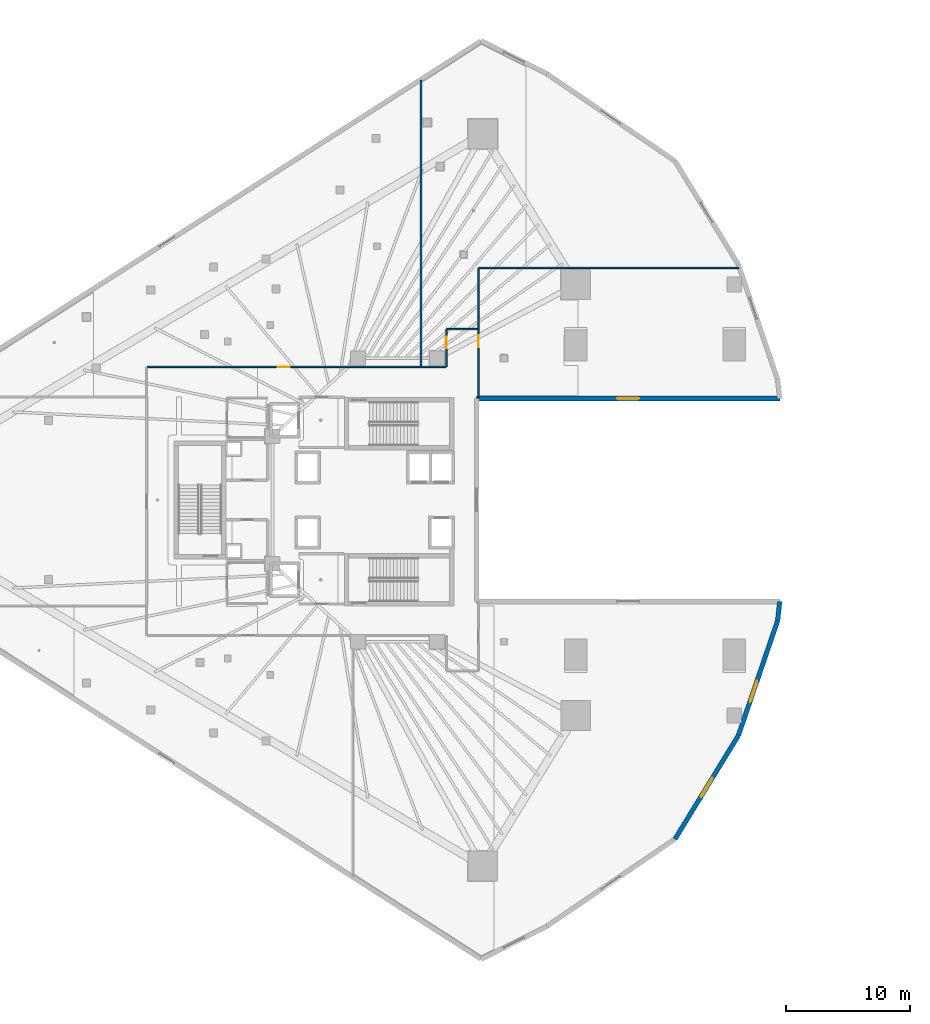
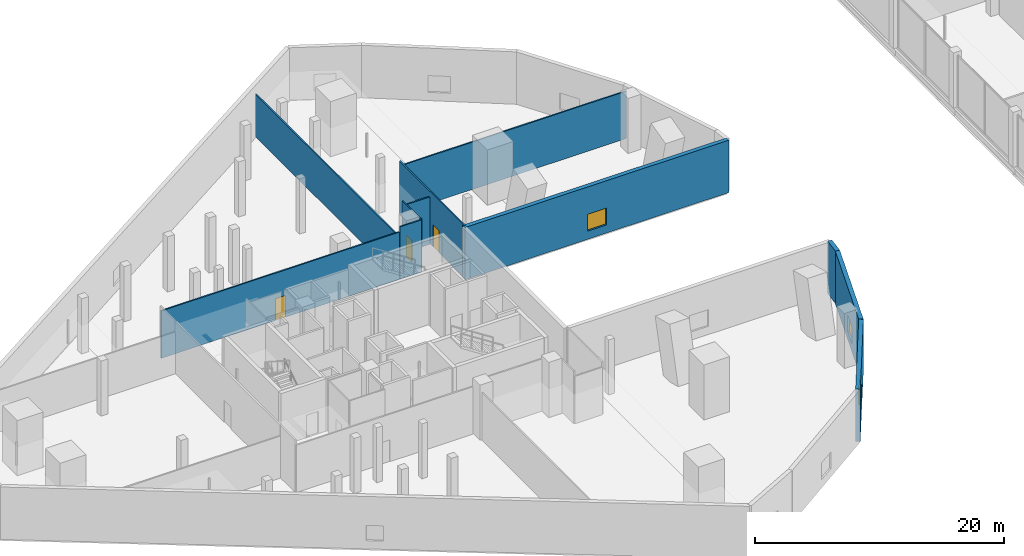
# One storey, part 29 of 47: 11 walls, 3 doors, 3 windows, 6 openings.
"""IFC4 building model written with IfcOpenShell, lengths in metres."""

from ifc_helpers import new_model, si_unit, direction, frame, frame_2d, origin, place, context, subcontext, project, spatial, rectangle, extrude, material, layer, layer_set, type_object, element, fill, save


model = new_model("IFC4")

# Units and contexts
model_context = context("Model", 3, precision=1e-05, world=origin(), true_north=direction((0.0, 1.0)))
body_context = subcontext(model_context, "Body", "Model", "MODEL_VIEW")
ifc_project = project(units=[si_unit("LENGTHUNIT", "METRE"), si_unit("AREAUNIT", "SQUARE_METRE"), si_unit("VOLUMEUNIT", "CUBIC_METRE"), si_unit("PLANEANGLEUNIT", "RADIAN"), si_unit("MASSUNIT", "GRAM", prefix="KILO")], contexts=[model_context])

# Site, building, storey
site_placement = place(None, origin())
site = spatial("IfcSite", under=ifc_project, at=site_placement, CompositionType="ELEMENT")
building_placement = place(site_placement, origin())
building = spatial("IfcBuilding", under=site, at=building_placement, Name="Qorvath Tower", CompositionType="ELEMENT")
storey_placement = place(building_placement, frame((0.0, 0.0, 6.60009765625)))
storey = spatial("IfcBuildingStorey", under=building, at=storey_placement, Name="L01", CompositionType="ELEMENT", Elevation=6.60009765625)

# Wall
ifc_material_1 = material(Name="Gypsum board on metal studs with mineral wool", Category="gypsum")
ifc_layer_1 = layer(ifc_material_1, 0.125)
ifc_layer_set_1 = layer_set([ifc_layer_1], Name="IW-PART-125")
wall_type_1 = type_object("IfcWallType", Name="IW-PART-125", PredefinedType="PARTITIONING", material=ifc_layer_set_1)
wall_1_placement = place(storey_placement, frame((7.15478515625, 18.75, 0.0), z_axis=(0.0, 0.0, 1.0), x_axis=(-1.0, 0.0, 0.0)))
element("IfcWall", 1, at=wall_1_placement, inside=storey, type_object=wall_type_1, Name="Interior Partition IW-T1-L01-019", PredefinedType="PARTITIONING", context=body_context, shape_type="SweptSolid", body=[
    extrude(rectangle(XDim=20.97998046875, YDim=0.125, at=frame_2d((10.489990234375, 0.0))), origin(), (0.0, 0.0, 1.0), 4.65283203125),
])

# Wall, opening, door
wall_2_placement = place(storey_placement, frame((-13.85009765625, 18.72509765625, 0.0), z_axis=(0.0, 0.0, 1.0), x_axis=(0.0, -1.0, 0.0)))
wall_2 = element("IfcWall", 2, at=wall_2_placement, inside=storey, type_object=wall_type_1, Name="Interior Partition IW-T1-L01-020", PredefinedType="PARTITIONING", context=body_context, shape_type="SweptSolid", body=[
    extrude(rectangle(XDim=10.445068359375, YDim=0.125, at=frame_2d((5.22265625, 0.0))), origin(), (0.0, 0.0, 1.0), 5.139892578125),
])
opening_1_placement = place(wall_2_placement, frame((5.42578125, 0.0, 0.0)))
opening_1 = element("IfcOpeningElement", 3, at=opening_1_placement, cuts=wall_2, Name="Opening D-T1-L01-05", PredefinedType="OPENING", context=body_context, shape_type="SweptSolid", body=[
    extrude(rectangle(XDim=0.949951171875, YDim=2.14990234375, at=frame_2d((0.47509765625, 1.074951171875))), frame((0.0, 0.072509765625, 0.0), z_axis=(0.0, -1.0, 0.0), x_axis=(1.0, 0.0, 0.0)), (0.0, 0.0, 1.0), 0.14501953125),
])
ifc_material_2 = material(Name="Solid-core American white oak veneer", Category="wood")
door_type = type_object("IfcDoorType", Name="D-01", OperationType="NOTDEFINED", PredefinedType="DOOR", material=ifc_material_2)
door_1_placement = place(opening_1_placement, origin())
door_1 = element("IfcDoor", 4, at=door_1_placement, inside=storey, type_object=door_type, Name="L01-01 Back of House Catering Kitchen Door D-T1-L01-05", OperationType="SINGLE_SWING_RIGHT", OverallHeight=2.14990234375, OverallWidth=0.949951171875, PredefinedType="DOOR", context=body_context, shape_type="SweptSolid", body=[
    extrude(rectangle(XDim=0.949951171875, YDim=2.14990234375, at=frame_2d((0.47509765625, 1.074951171875))), frame((0.0, 0.02490234375, 0.0), z_axis=(0.0, -1.0, 0.0), x_axis=(1.0, 0.0, 0.0)), (0.0, 0.0, 1.0), 0.050048828125),
])
fill(opening_1, door_1)

# Walls
wall_3_placement = place(storey_placement, frame((-18.5, 33.9052734375, 0.0), z_axis=(0.0, 0.0, 1.0), x_axis=(0.0, -1.0, 0.0)))
element("IfcWall", 5, at=wall_3_placement, inside=storey, type_object=wall_type_1, Name="Interior Partition IW-T1-L01-021", PredefinedType="PARTITIONING", context=body_context, shape_type="SweptSolid", body=[
    extrude(rectangle(XDim=23.1220703125, YDim=0.125, at=frame_2d((11.56103515625, 0.0))), origin(), (0.0, 0.0, 1.0), 4.1767578125),
])
wall_4_placement = place(storey_placement, frame((-18.47509765625, 10.758056640625, 0.0), z_axis=(0.0, 0.0, 1.0), x_axis=(1.0, 0.0, 0.0)))
element("IfcWall", 6, at=wall_4_placement, inside=storey, type_object=wall_type_1, Name="Interior Partition IW-T1-L01-022", PredefinedType="PARTITIONING", context=body_context, shape_type="SweptSolid", body=[
    extrude(rectangle(XDim=1.9921875, YDim=0.125, at=frame_2d((0.99609375, 0.0))), origin(), (0.0, 0.0, 1.0), 5.139892578125),
])

# Wall, opening, door
wall_5_placement = place(storey_placement, frame((-16.4580078125, 13.783203125, 0.0), z_axis=(0.0, 0.0, 1.0), x_axis=(0.0, -1.0, 0.0)))
wall_5 = element("IfcWall", 7, at=wall_5_placement, inside=storey, type_object=wall_type_1, Name="Interior Partition IW-T1-L01-023", PredefinedType="PARTITIONING", context=body_context, shape_type="SweptSolid", body=[
    extrude(rectangle(XDim=3.0, YDim=0.125, at=frame_2d((1.5, 0.0))), origin(), (0.0, 0.0, 1.0), 5.139892578125),
])
opening_2_placement = place(wall_5_placement, frame((0.585693359375, 0.0, 0.0)))
opening_2 = element("IfcOpeningElement", 8, at=opening_2_placement, cuts=wall_5, Name="Opening D-T1-L01-06", PredefinedType="OPENING", context=body_context, shape_type="SweptSolid", body=[
    extrude(rectangle(XDim=0.949951171875, YDim=2.14990234375, at=frame_2d((0.47509765625, 1.074951171875))), frame((0.0, 0.072509765625, 0.0), z_axis=(0.0, -1.0, 0.0), x_axis=(1.0, 0.0, 0.0)), (0.0, 0.0, 1.0), 0.14501953125),
])
door_2_placement = place(opening_2_placement, origin())
door_2 = element("IfcDoor", 9, at=door_2_placement, inside=storey, type_object=door_type, Name="L01-02 Staff Refreshment Pantry and Cafe Door D-T1-L01-06", OperationType="SINGLE_SWING_LEFT", OverallHeight=2.14990234375, OverallWidth=0.949951171875, PredefinedType="DOOR", context=body_context, shape_type="SweptSolid", body=[
    extrude(rectangle(XDim=0.949951171875, YDim=2.14990234375, at=frame_2d((0.47509765625, 1.074951171875))), frame((0.0, 0.02490234375, 0.0), z_axis=(0.0, -1.0, 0.0), x_axis=(1.0, 0.0, 0.0)), (0.0, 0.0, 1.0), 0.050048828125),
])
fill(opening_2, door_2)

# Wall
wall_6_placement = place(storey_placement, frame((-16.43310546875, 13.80810546875, 0.0), z_axis=(0.0, 0.0, 1.0), x_axis=(1.0, 0.0, 0.0)))
element("IfcWall", 10, at=wall_6_placement, inside=storey, type_object=wall_type_1, Name="Interior Partition IW-T1-L01-024", PredefinedType="PARTITIONING", context=body_context, shape_type="SweptSolid", body=[
    extrude(rectangle(XDim=2.472900390625, YDim=0.125, at=frame_2d((1.236328125, 0.0))), origin(), (0.0, 0.0, 1.0), 4.65283203125),
])

# Wall, opening, door
wall_7_placement = place(storey_placement, frame((-40.633056640625, 10.758056640625, 0.0), z_axis=(0.0, 0.0, 1.0), x_axis=(1.0, 0.0, 0.0)))
wall_7 = element("IfcWall", 11, at=wall_7_placement, inside=storey, type_object=wall_type_1, Name="Interior Partition IW-T1-L01-026", PredefinedType="PARTITIONING", context=body_context, shape_type="SweptSolid", body=[
    extrude(rectangle(XDim=22.099853515625, YDim=0.125, at=frame_2d((11.0498046875, 0.0))), origin(), (0.0, 0.0, 1.0), 4.65283203125),
])
opening_3_placement = place(wall_7_placement, frame((10.574951171875, 0.0, 0.0)))
opening_3 = element("IfcOpeningElement", 12, at=opening_3_placement, cuts=wall_7, Name="Opening D-T1-L01-07", PredefinedType="OPENING", context=body_context, shape_type="SweptSolid", body=[
    extrude(rectangle(XDim=0.949951171875, YDim=2.14990234375, at=frame_2d((0.47509765625, 1.074951171875))), frame((0.0, 0.072509765625, 0.0), z_axis=(0.0, -1.0, 0.0), x_axis=(1.0, 0.0, 0.0)), (0.0, 0.0, 1.0), 0.14501953125),
])
door_3_placement = place(opening_3_placement, origin())
door_3 = element("IfcDoor", 13, at=door_3_placement, inside=storey, type_object=door_type, Name="L01-03 Open Workplace Studio Door D-T1-L01-07", OperationType="SINGLE_SWING_RIGHT", OverallHeight=2.14990234375, OverallWidth=0.949951171875, PredefinedType="DOOR", context=body_context, shape_type="SweptSolid", body=[
    extrude(rectangle(XDim=0.949951171875, YDim=2.14990234375, at=frame_2d((0.47509765625, 1.074951171875))), frame((0.0, 0.02490234375, 0.0), z_axis=(0.0, -1.0, 0.0), x_axis=(1.0, 0.0, 0.0)), (0.0, 0.0, 1.0), 0.050048828125),
])
fill(opening_3, door_3)

# Wall, opening, window
ifc_material_3 = material(Name="Precast concrete C50/60", Category="concrete")
ifc_layer_2 = layer(ifc_material_3, 0.3798828125)
ifc_layer_set_2 = layer_set([ifc_layer_2], Name="WL-EW-POD-380")
wall_type_2 = type_object("IfcWallType", Name="WL-EW-POD-380", PredefinedType="SOLIDWALL", material=ifc_layer_set_2)
wall_8_placement = place(storey_placement, frame((-14.0, 8.199951171875, 0.0), z_axis=(0.0, 0.0, 1.0), x_axis=(1.0, 0.0, 0.0)))
wall_8 = element("IfcWall", 14, at=wall_8_placement, inside=storey, type_object=wall_type_2, Name="Tower Podium Precast Facade Wall L01-3.1", PredefinedType="SOLIDWALL", context=body_context, shape_type="SweptSolid", body=[
    extrude(rectangle(XDim=24.483154296875, YDim=0.3798828125, at=frame_2d((12.24169921875, 0.0))), origin(), (0.0, 0.0, 1.0), 5.139892578125),
])
opening_4_placement = place(wall_8_placement, frame((11.341552734375, 0.0, 0.800048828125)))
opening_4 = element("IfcOpeningElement", 15, at=opening_4_placement, cuts=wall_8, Name="Opening WN-L01-003", PredefinedType="OPENING", context=body_context, shape_type="SweptSolid", body=[
    extrude(rectangle(XDim=1.800048828125, YDim=1.64990234375, at=frame_2d((0.89990234375, 0.824951171875))), frame((0.0, 0.199951171875, 0.0), z_axis=(0.0, -1.0, 0.0), x_axis=(1.0, 0.0, 0.0)), (0.0, 0.0, 1.0), 0.39990234375),
])
ifc_material_4 = material(Name="Thermally broken aluminium and triple low-E glass", Category="aluminium")
window_type = type_object("IfcWindowType", Name="WN-1", PartitioningType="SINGLE_PANEL", PredefinedType="WINDOW", material=ifc_material_4)
window_1_placement = place(opening_4_placement, origin())
window_1 = element("IfcWindow", 16, at=window_1_placement, inside=storey, type_object=window_type, Name="Podium Punched Window L01-003", OverallHeight=1.64990234375, OverallWidth=1.800048828125, PartitioningType="SINGLE_PANEL", PredefinedType="WINDOW", context=body_context, shape_type="SweptSolid", body=[
    extrude(rectangle(XDim=1.800048828125, YDim=1.64990234375, at=frame_2d((0.89990234375, 0.824951171875))), frame((0.0, 0.030029296875, 0.0), z_axis=(0.0, -1.0, 0.0), x_axis=(1.0, 0.0, 0.0)), (0.0, 0.0, 1.0), 0.06005859375),
])
fill(opening_4, window_1)

wall_9_placement = place(storey_placement, frame((7.139404296875, -19.029052734375, 0.0), z_axis=(0.0, 0.0, 1.0), x_axis=(-0.521922160909, -0.852993117178, 0.0)))
wall_9 = element("IfcWall", 17, at=wall_9_placement, inside=storey, type_object=wall_type_2, Name="Tower Podium Precast Facade Wall L01-14.1", PredefinedType="SOLIDWALL", context=body_context, shape_type="SweptSolid", body=[
    extrude(rectangle(XDim=9.807861328125, YDim=0.3798828125, at=frame_2d((4.90380859375, 0.0))), origin(), (0.0, 0.0, 1.0), 5.139892578125),
])
opening_5_placement = place(wall_9_placement, frame((4.00390625, 0.0, 0.800048828125)))
opening_5 = element("IfcOpeningElement", 18, at=opening_5_placement, cuts=wall_9, Name="Opening WN-L01-013", PredefinedType="OPENING", context=body_context, shape_type="SweptSolid", body=[
    extrude(rectangle(XDim=1.800048828125, YDim=1.64990234375, at=frame_2d((0.89990234375, 0.824951171875))), frame((0.0, 0.199951171875, 0.0), z_axis=(0.0, -1.0, 0.0), x_axis=(1.0, 0.0, 0.0)), (0.0, 0.0, 1.0), 0.39990234375),
])
window_2_placement = place(opening_5_placement, origin())
window_2 = element("IfcWindow", 19, at=window_2_placement, inside=storey, type_object=window_type, Name="Podium Punched Window L01-013", OverallHeight=1.64990234375, OverallWidth=1.800048828125, PartitioningType="SINGLE_PANEL", PredefinedType="WINDOW", context=body_context, shape_type="SweptSolid", body=[
    extrude(rectangle(XDim=1.800048828125, YDim=1.64990234375, at=frame_2d((0.89990234375, 0.824951171875))), frame((0.0, 0.030029296875, 0.0), z_axis=(0.0, -1.0, 0.0), x_axis=(1.0, 0.0, 0.0)), (0.0, 0.0, 1.0), 0.06005859375),
])
fill(opening_5, window_2)

wall_10_placement = place(storey_placement, frame((10.3125, -9.748779296875, 0.0), z_axis=(0.0, 0.0, 1.0), x_axis=(-0.323529337119, -0.946218139767, 0.0)))
wall_10 = element("IfcWall", 20, at=wall_10_placement, inside=storey, type_object=wall_type_2, Name="Tower Podium Precast Facade Wall L01-15.1", PredefinedType="SOLIDWALL", context=body_context, shape_type="SweptSolid", body=[
    extrude(rectangle(XDim=9.807861328125, YDim=0.3798828125, at=frame_2d((4.90380859375, 0.0))), origin(), (0.0, 0.0, 1.0), 5.139892578125),
])
opening_6_placement = place(wall_10_placement, frame((5.14794921875, 0.0, 0.800048828125)))
opening_6 = element("IfcOpeningElement", 21, at=opening_6_placement, cuts=wall_10, Name="Opening WN-L01-014", PredefinedType="OPENING", context=body_context, shape_type="SweptSolid", body=[
    extrude(rectangle(XDim=1.800048828125, YDim=1.64990234375, at=frame_2d((0.89990234375, 0.824951171875))), frame((0.0, 0.199951171875, 0.0), z_axis=(0.0, -1.0, 0.0), x_axis=(1.0, 0.0, 0.0)), (0.0, 0.0, 1.0), 0.39990234375),
])
window_3_placement = place(opening_6_placement, origin())
window_3 = element("IfcWindow", 22, at=window_3_placement, inside=storey, type_object=window_type, Name="Podium Punched Window L01-014", OverallHeight=1.64990234375, OverallWidth=1.800048828125, PartitioningType="SINGLE_PANEL", PredefinedType="WINDOW", context=body_context, shape_type="SweptSolid", body=[
    extrude(rectangle(XDim=1.800048828125, YDim=1.64990234375, at=frame_2d((0.89990234375, 0.824951171875))), frame((0.0, 0.030029296875, 0.0), z_axis=(0.0, -1.0, 0.0), x_axis=(1.0, 0.0, 0.0)), (0.0, 0.0, 1.0), 0.06005859375),
])
fill(opening_6, window_3)

# Wall
wall_11_placement = place(storey_placement, frame((10.483154296875, -8.199951171875, 0.0), z_axis=(0.0, 0.0, 1.0), x_axis=(-0.109520054504, -0.993984586229, 0.0)))
element("IfcWall", 23, at=wall_11_placement, inside=storey, type_object=wall_type_2, Name="Tower Podium Precast Facade Wall L01-16.1", PredefinedType="SOLIDWALL", context=body_context, shape_type="SweptSolid", body=[
    extrude(rectangle(XDim=1.55810546875, YDim=0.3798828125, at=frame_2d((0.779052734375, 0.0))), origin(), (0.0, 0.0, 1.0), 5.139892578125),
])

save(model, "model.ifc")
